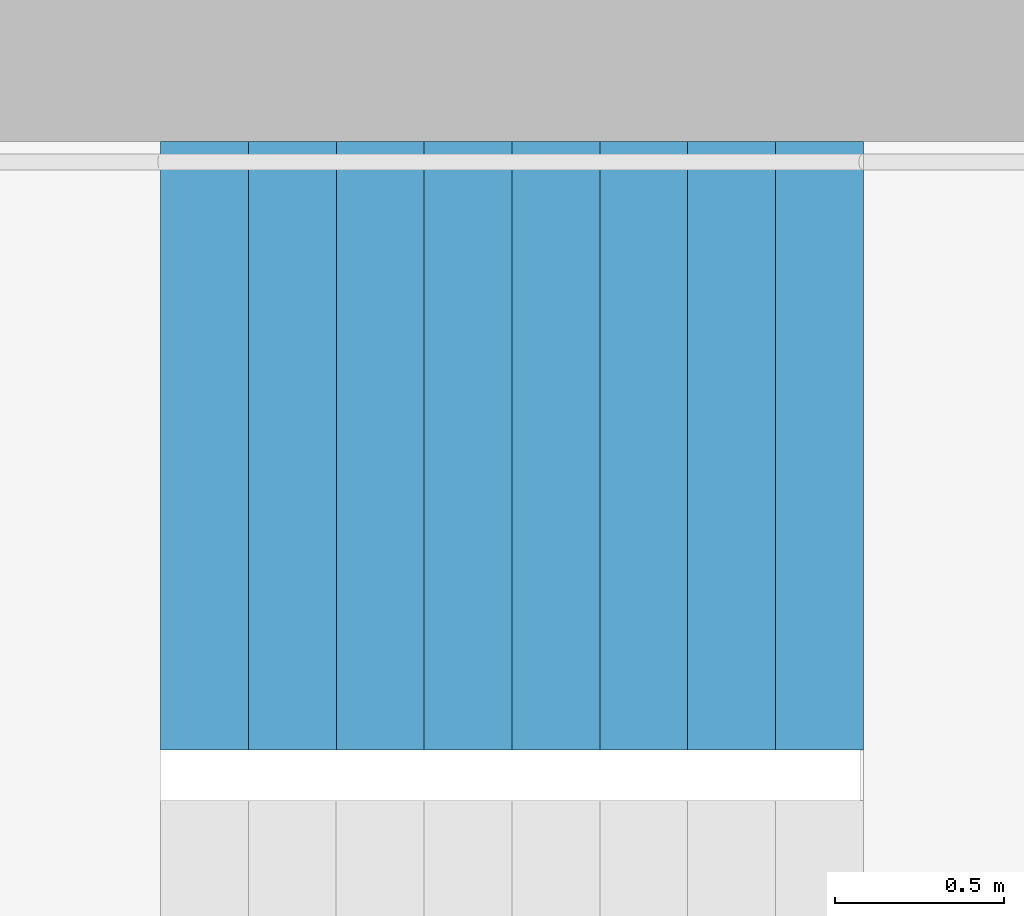
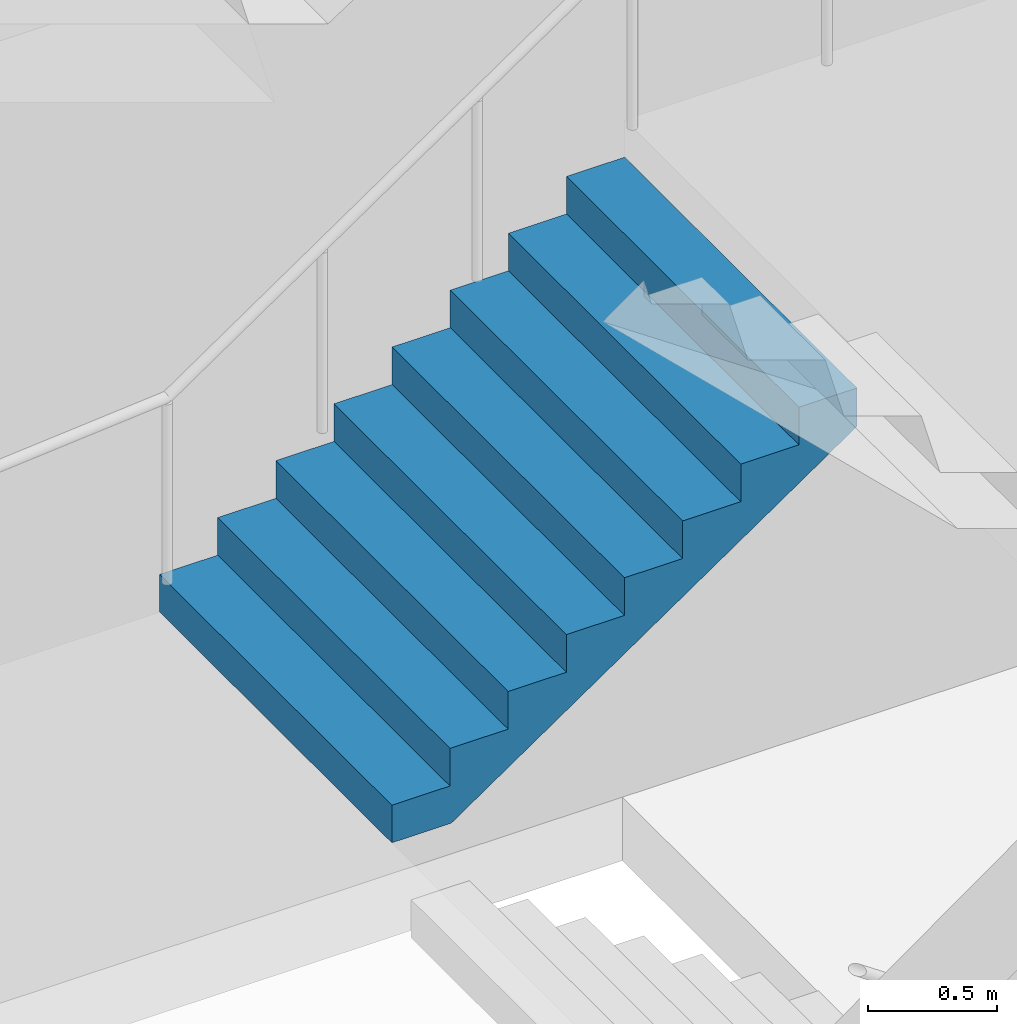
# One storey, part 29 of 41: 1 stair flight, 1 element without a shape of its own.
"""IFC4 building model written with IfcOpenShell, lengths in metres."""

from ifc_helpers import new_model, si_unit, direction, frame, origin, place, context, subcontext, project, spatial, triangles, material, type_object, element, aggregate, save


model = new_model("IFC4")

# Units and contexts
model_context = context("Model", 3, precision=1e-05, world=origin(), true_north=direction((0.0, 1.0)))
body_context = subcontext(model_context, "Body", "Model", "MODEL_VIEW")
ifc_project = project(units=[si_unit("LENGTHUNIT", "METRE"), si_unit("AREAUNIT", "SQUARE_METRE"), si_unit("VOLUMEUNIT", "CUBIC_METRE"), si_unit("PLANEANGLEUNIT", "RADIAN"), si_unit("MASSUNIT", "GRAM", prefix="KILO")], contexts=[model_context])

# Site, building, storey
site_placement = place(None, origin())
site = spatial("IfcSite", under=ifc_project, at=site_placement, CompositionType="ELEMENT")
building_placement = place(site_placement, origin())
building = spatial("IfcBuilding", under=site, at=building_placement, Name="Hakoniwa Tower and Hamabe Station Hall", CompositionType="ELEMENT")
storey_placement = place(building_placement, frame((0.0, 0.0, 180.199951171875)))
storey = spatial("IfcBuildingStorey", under=building, at=storey_placement, Name="L51", CompositionType="ELEMENT", Elevation=180.199951171875)

# Stair, stair flight
ifc_material_1 = material(Name="Concrete C40", Category="concrete")
stair_type = type_object("IfcStairType", Name="ESCAPE STAIR 1800", PredefinedType="HALF_TURN_STAIR", material=ifc_material_1)
stair_placement = place(storey_placement, origin())
stair = element("IfcStair", 1, at=stair_placement, inside=storey, type_object=stair_type, Name="Escape stair ST-3 L51", PredefinedType="HALF_TURN_STAIR")
ifc_material_2 = material(Name="Concrete C40", Category="concrete")
stair_flight_type = type_object("IfcStairFlightType", Name="STAIR FLIGHT 1800", PredefinedType="STRAIGHT", material=ifc_material_2)
stair_flight_placement = place(storey_placement, frame((22.320068359375, 6.60009765625, 1.60009765625), z_axis=(0.0, 0.0, 1.0), x_axis=(1.0, 0.0, 0.0)))
stair_flight = element("IfcStairFlight", 2, at=stair_flight_placement, type_object=stair_flight_type, Name="ST-3 flight 2", NumberOfRisers=9, NumberOfTreads=8, PredefinedType="STRAIGHT", RiserHeight=0.177777778, TreadLength=0.26, context=body_context, shape_type="Tessellation", body=[
    triangles([(0.0, 0.89990234375, 0.0), (0.260009765625, 0.89990234375, 0.0), (0.265625, 0.89990234375, 0.0), (0.52001953125, 0.89990234375, 0.174072265625), (0.780029296875, 0.89990234375, 0.351806640625), (1.0400390625, 0.89990234375, 0.529541015625), (1.300048828125, 0.89990234375, 0.707275390625), (1.56005859375, 0.89990234375, 0.885009765625), (1.820068359375, 0.89990234375, 1.062744140625), (2.080078125, 0.89990234375, 1.24072265625), (2.080078125, 0.89990234375, 1.422119140625), (1.820068359375, 0.89990234375, 1.422119140625), (1.820068359375, 0.89990234375, 1.244384765625), (1.56005859375, 0.89990234375, 1.244384765625), (1.56005859375, 0.89990234375, 1.066650390625), (1.300048828125, 0.89990234375, 1.066650390625), (1.300048828125, 0.89990234375, 0.888916015625), (1.0400390625, 0.89990234375, 0.888916015625), (1.0400390625, 0.89990234375, 0.711181640625), (0.780029296875, 0.89990234375, 0.711181640625), (0.780029296875, 0.89990234375, 0.533447265625), (0.52001953125, 0.89990234375, 0.533447265625), (0.52001953125, 0.89990234375, 0.35546875), (0.265625, 0.89990234375, 0.35546875), (0.260009765625, 0.89990234375, 0.35546875), (0.260009765625, 0.89990234375, 0.177734375), (0.0, 0.89990234375, 0.177734375), (0.0, 0.06005859375, 0.0), (0.260009765625, 0.06005859375, 0.0), (0.265625, 0.06005859375, 0.0), (0.52001953125, 0.06005859375, 0.174072265625), (0.780029296875, 0.06005859375, 0.351806640625), (1.0400390625, 0.06005859375, 0.529541015625), (1.300048828125, 0.06005859375, 0.707275390625), (1.56005859375, 0.06005859375, 0.885009765625), (1.820068359375, 0.06005859375, 1.062744140625), (2.080078125, 0.06005859375, 1.24072265625), (2.080078125, 0.06005859375, 1.422119140625), (1.820068359375, 0.06005859375, 1.422119140625), (1.820068359375, 0.06005859375, 1.244384765625), (1.56005859375, 0.06005859375, 1.244384765625), (1.56005859375, 0.06005859375, 1.066650390625), (1.300048828125, 0.06005859375, 1.066650390625), (1.300048828125, 0.06005859375, 0.888916015625), (1.0400390625, 0.06005859375, 0.888916015625), (1.0400390625, 0.06005859375, 0.711181640625), (0.780029296875, 0.06005859375, 0.711181640625), (0.780029296875, 0.06005859375, 0.533447265625), (0.52001953125, 0.06005859375, 0.533447265625), (0.52001953125, 0.06005859375, 0.35546875), (0.265625, 0.06005859375, 0.35546875), (0.260009765625, 0.06005859375, 0.35546875), (0.260009765625, 0.06005859375, 0.177734375), (0.0, 0.06005859375, 0.177734375), (0.0, 0.04296875, 0.0), (0.260009765625, 0.04296875, 0.0), (0.265625, 0.04296875, 0.0), (0.52001953125, 0.04296875, 0.174072265625), (0.780029296875, 0.04296875, 0.351806640625), (1.0400390625, 0.04296875, 0.529541015625), (1.300048828125, 0.04296875, 0.707275390625), (1.56005859375, 0.04296875, 0.885009765625), (1.820068359375, 0.04296875, 1.062744140625), (2.080078125, 0.04296875, 1.24072265625), (2.080078125, 0.04296875, 1.422119140625), (1.820068359375, 0.04296875, 1.422119140625), (1.820068359375, 0.04296875, 1.244384765625), (1.56005859375, 0.04296875, 1.244384765625), (1.56005859375, 0.04296875, 1.066650390625), (1.300048828125, 0.04296875, 1.066650390625), (1.300048828125, 0.04296875, 0.888916015625), (1.0400390625, 0.04296875, 0.888916015625), (1.0400390625, 0.04296875, 0.711181640625), (0.780029296875, 0.04296875, 0.711181640625), (0.780029296875, 0.04296875, 0.533447265625), (0.52001953125, 0.04296875, 0.533447265625), (0.52001953125, 0.04296875, 0.35546875), (0.265625, 0.04296875, 0.35546875), (0.260009765625, 0.04296875, 0.35546875), (0.260009765625, 0.04296875, 0.177734375), (0.0, 0.04296875, 0.177734375), (0.0, 0.025634765625, 0.0), (0.260009765625, 0.025634765625, 0.0), (0.265625, 0.025634765625, 0.0), (0.52001953125, 0.025634765625, 0.174072265625), (0.780029296875, 0.025634765625, 0.351806640625), (1.0400390625, 0.025634765625, 0.529541015625), (1.300048828125, 0.025634765625, 0.707275390625), (1.56005859375, 0.025634765625, 0.885009765625), (1.820068359375, 0.025634765625, 1.062744140625), (2.080078125, 0.025634765625, 1.24072265625), (2.080078125, 0.025634765625, 1.422119140625), (1.820068359375, 0.025634765625, 1.422119140625), (1.820068359375, 0.025634765625, 1.244384765625), (1.56005859375, 0.025634765625, 1.244384765625), (1.56005859375, 0.025634765625, 1.066650390625), (1.300048828125, 0.025634765625, 1.066650390625), (1.300048828125, 0.025634765625, 0.888916015625), (1.0400390625, 0.025634765625, 0.888916015625), (1.0400390625, 0.025634765625, 0.711181640625), (0.780029296875, 0.025634765625, 0.711181640625), (0.780029296875, 0.025634765625, 0.533447265625), (0.52001953125, 0.025634765625, 0.533447265625), (0.52001953125, 0.025634765625, 0.35546875), (0.265625, 0.025634765625, 0.35546875), (0.260009765625, 0.025634765625, 0.35546875), (0.260009765625, 0.025634765625, 0.177734375), (0.0, 0.025634765625, 0.177734375), (0.0, 0.008544921875, 0.0), (0.260009765625, 0.008544921875, 0.0), (0.265625, 0.008544921875, 0.0), (0.52001953125, 0.008544921875, 0.174072265625), (0.780029296875, 0.008544921875, 0.351806640625), (1.0400390625, 0.008544921875, 0.529541015625), (1.300048828125, 0.008544921875, 0.707275390625), (1.56005859375, 0.008544921875, 0.885009765625), (1.820068359375, 0.008544921875, 1.062744140625), (2.080078125, 0.008544921875, 1.24072265625), (2.080078125, 0.008544921875, 1.422119140625), (1.820068359375, 0.008544921875, 1.422119140625), (1.820068359375, 0.008544921875, 1.244384765625), (1.56005859375, 0.008544921875, 1.244384765625), (1.56005859375, 0.008544921875, 1.066650390625), (1.300048828125, 0.008544921875, 1.066650390625), (1.300048828125, 0.008544921875, 0.888916015625), (1.0400390625, 0.008544921875, 0.888916015625), (1.0400390625, 0.008544921875, 0.711181640625), (0.780029296875, 0.008544921875, 0.711181640625), (0.780029296875, 0.008544921875, 0.533447265625), (0.52001953125, 0.008544921875, 0.533447265625), (0.52001953125, 0.008544921875, 0.35546875), (0.265625, 0.008544921875, 0.35546875), (0.260009765625, 0.008544921875, 0.35546875), (0.260009765625, 0.008544921875, 0.177734375), (0.0, 0.008544921875, 0.177734375), (0.0, -0.008544921875, 0.0), (0.260009765625, -0.008544921875, 0.0), (0.265625, -0.008544921875, 0.0), (0.52001953125, -0.008544921875, 0.174072265625), (0.780029296875, -0.008544921875, 0.351806640625), (1.0400390625, -0.008544921875, 0.529541015625), (1.300048828125, -0.008544921875, 0.707275390625), (1.56005859375, -0.008544921875, 0.885009765625), (1.820068359375, -0.008544921875, 1.062744140625), (2.080078125, -0.008544921875, 1.24072265625), (2.080078125, -0.008544921875, 1.422119140625), (1.820068359375, -0.008544921875, 1.422119140625), (1.820068359375, -0.008544921875, 1.244384765625), (1.56005859375, -0.008544921875, 1.244384765625), (1.56005859375, -0.008544921875, 1.066650390625), (1.300048828125, -0.008544921875, 1.066650390625), (1.300048828125, -0.008544921875, 0.888916015625), (1.0400390625, -0.008544921875, 0.888916015625), (1.0400390625, -0.008544921875, 0.711181640625), (0.780029296875, -0.008544921875, 0.711181640625), (0.780029296875, -0.008544921875, 0.533447265625), (0.52001953125, -0.008544921875, 0.533447265625), (0.52001953125, -0.008544921875, 0.35546875), (0.265625, -0.008544921875, 0.35546875), (0.260009765625, -0.008544921875, 0.35546875), (0.260009765625, -0.008544921875, 0.177734375), (0.0, -0.008544921875, 0.177734375), (0.0, -0.025634765625, 0.0), (0.260009765625, -0.025634765625, 0.0), (0.265625, -0.025634765625, 0.0), (0.52001953125, -0.025634765625, 0.174072265625), (0.780029296875, -0.025634765625, 0.351806640625), (1.0400390625, -0.025634765625, 0.529541015625), (1.300048828125, -0.025634765625, 0.707275390625), (1.56005859375, -0.025634765625, 0.885009765625), (1.820068359375, -0.025634765625, 1.062744140625), (2.080078125, -0.025634765625, 1.24072265625), (2.080078125, -0.025634765625, 1.422119140625), (1.820068359375, -0.025634765625, 1.422119140625), (1.820068359375, -0.025634765625, 1.244384765625), (1.56005859375, -0.025634765625, 1.244384765625), (1.56005859375, -0.025634765625, 1.066650390625), (1.300048828125, -0.025634765625, 1.066650390625), (1.300048828125, -0.025634765625, 0.888916015625), (1.0400390625, -0.025634765625, 0.888916015625), (1.0400390625, -0.025634765625, 0.711181640625), (0.780029296875, -0.025634765625, 0.711181640625), (0.780029296875, -0.025634765625, 0.533447265625), (0.52001953125, -0.025634765625, 0.533447265625), (0.52001953125, -0.025634765625, 0.35546875), (0.265625, -0.025634765625, 0.35546875), (0.260009765625, -0.025634765625, 0.35546875), (0.260009765625, -0.025634765625, 0.177734375), (0.0, -0.025634765625, 0.177734375), (0.0, -0.04296875, 0.0), (0.260009765625, -0.04296875, 0.0), (0.265625, -0.04296875, 0.0), (0.52001953125, -0.04296875, 0.174072265625), (0.780029296875, -0.04296875, 0.351806640625), (1.0400390625, -0.04296875, 0.529541015625), (1.300048828125, -0.04296875, 0.707275390625), (1.56005859375, -0.04296875, 0.885009765625), (1.820068359375, -0.04296875, 1.062744140625), (2.080078125, -0.04296875, 1.24072265625), (2.080078125, -0.04296875, 1.422119140625), (1.820068359375, -0.04296875, 1.422119140625), (1.820068359375, -0.04296875, 1.244384765625), (1.56005859375, -0.04296875, 1.244384765625), (1.56005859375, -0.04296875, 1.066650390625), (1.300048828125, -0.04296875, 1.066650390625), (1.300048828125, -0.04296875, 0.888916015625), (1.0400390625, -0.04296875, 0.888916015625), (1.0400390625, -0.04296875, 0.711181640625), (0.780029296875, -0.04296875, 0.711181640625), (0.780029296875, -0.04296875, 0.533447265625), (0.52001953125, -0.04296875, 0.533447265625), (0.52001953125, -0.04296875, 0.35546875), (0.265625, -0.04296875, 0.35546875), (0.260009765625, -0.04296875, 0.35546875), (0.260009765625, -0.04296875, 0.177734375), (0.0, -0.04296875, 0.177734375), (0.0, -0.06005859375, 0.0), (0.260009765625, -0.06005859375, 0.0), (0.265625, -0.06005859375, 0.0), (0.52001953125, -0.06005859375, 0.174072265625), (0.780029296875, -0.06005859375, 0.351806640625), (1.0400390625, -0.06005859375, 0.529541015625), (1.300048828125, -0.06005859375, 0.707275390625), (1.56005859375, -0.06005859375, 0.885009765625), (1.820068359375, -0.06005859375, 1.062744140625), (2.080078125, -0.06005859375, 1.24072265625), (2.080078125, -0.06005859375, 1.422119140625), (1.820068359375, -0.06005859375, 1.422119140625), (1.820068359375, -0.06005859375, 1.244384765625), (1.56005859375, -0.06005859375, 1.244384765625), (1.56005859375, -0.06005859375, 1.066650390625), (1.300048828125, -0.06005859375, 1.066650390625), (1.300048828125, -0.06005859375, 0.888916015625), (1.0400390625, -0.06005859375, 0.888916015625), (1.0400390625, -0.06005859375, 0.711181640625), (0.780029296875, -0.06005859375, 0.711181640625), (0.780029296875, -0.06005859375, 0.533447265625), (0.52001953125, -0.06005859375, 0.533447265625), (0.52001953125, -0.06005859375, 0.35546875), (0.265625, -0.06005859375, 0.35546875), (0.260009765625, -0.06005859375, 0.35546875), (0.260009765625, -0.06005859375, 0.177734375), (0.0, -0.06005859375, 0.177734375), (0.0, -0.89990234375, 0.0), (0.260009765625, -0.89990234375, 0.0), (0.265625, -0.89990234375, 0.0), (0.52001953125, -0.89990234375, 0.174072265625), (0.780029296875, -0.89990234375, 0.351806640625), (1.0400390625, -0.89990234375, 0.529541015625), (1.300048828125, -0.89990234375, 0.707275390625), (1.56005859375, -0.89990234375, 0.885009765625), (1.820068359375, -0.89990234375, 1.062744140625), (2.080078125, -0.89990234375, 1.24072265625), (2.080078125, -0.89990234375, 1.422119140625), (1.820068359375, -0.89990234375, 1.422119140625), (1.820068359375, -0.89990234375, 1.244384765625), (1.56005859375, -0.89990234375, 1.244384765625), (1.56005859375, -0.89990234375, 1.066650390625), (1.300048828125, -0.89990234375, 1.066650390625), (1.300048828125, -0.89990234375, 0.888916015625), (1.0400390625, -0.89990234375, 0.888916015625), (1.0400390625, -0.89990234375, 0.711181640625), (0.780029296875, -0.89990234375, 0.711181640625), (0.780029296875, -0.89990234375, 0.533447265625), (0.52001953125, -0.89990234375, 0.533447265625), (0.52001953125, -0.89990234375, 0.35546875), (0.265625, -0.89990234375, 0.35546875), (0.260009765625, -0.89990234375, 0.35546875), (0.260009765625, -0.89990234375, 0.177734375), (0.0, -0.89990234375, 0.177734375)], [[2, 27, 26], [245, 269, 270], [2, 1, 27], [245, 270, 244], [3, 25, 24], [246, 267, 268], [3, 26, 25], [246, 268, 269], [3, 2, 26], [246, 269, 245], [4, 24, 23], [247, 266, 267], [4, 3, 24], [247, 267, 246], [5, 22, 21], [248, 264, 265], [5, 23, 22], [248, 265, 266], [5, 4, 23], [248, 266, 247], [6, 20, 19], [249, 262, 263], [6, 21, 20], [249, 263, 264], [6, 5, 21], [249, 264, 248], [7, 18, 17], [250, 260, 261], [7, 19, 18], [250, 261, 262], [7, 6, 19], [250, 262, 249], [8, 16, 15], [251, 258, 259], [8, 17, 16], [251, 259, 260], [8, 7, 17], [251, 260, 250], [9, 14, 13], [252, 256, 257], [9, 15, 14], [252, 257, 258], [9, 8, 15], [252, 258, 251], [10, 12, 11], [253, 254, 255], [10, 13, 12], [253, 255, 256], [10, 9, 13], [253, 256, 252], [1, 2, 29], [1, 29, 28], [28, 29, 56], [28, 56, 55], [55, 56, 83], [55, 83, 82], [82, 83, 110], [82, 110, 109], [109, 110, 137], [109, 137, 136], [136, 137, 164], [136, 164, 163], [163, 164, 191], [163, 191, 190], [190, 191, 218], [190, 218, 217], [217, 218, 245], [217, 245, 244], [2, 3, 30], [2, 30, 29], [29, 30, 57], [29, 57, 56], [56, 57, 84], [56, 84, 83], [83, 84, 111], [83, 111, 110], [110, 111, 138], [110, 138, 137], [137, 138, 165], [137, 165, 164], [164, 165, 192], [164, 192, 191], [191, 192, 219], [191, 219, 218], [218, 219, 246], [218, 246, 245], [3, 4, 31], [3, 31, 30], [30, 31, 58], [30, 58, 57], [57, 58, 85], [57, 85, 84], [84, 85, 112], [84, 112, 111], [111, 112, 139], [111, 139, 138], [138, 139, 166], [138, 166, 165], [165, 166, 193], [165, 193, 192], [192, 193, 220], [192, 220, 219], [219, 220, 247], [219, 247, 246], [4, 5, 32], [4, 32, 31], [31, 32, 59], [31, 59, 58], [58, 59, 86], [58, 86, 85], [85, 86, 113], [85, 113, 112], [112, 113, 140], [112, 140, 139], [139, 140, 167], [139, 167, 166], [166, 167, 194], [166, 194, 193], [193, 194, 221], [193, 221, 220], [220, 221, 248], [220, 248, 247], [5, 6, 33], [5, 33, 32], [32, 33, 60], [32, 60, 59], [59, 60, 87], [59, 87, 86], [86, 87, 114], [86, 114, 113], [113, 114, 141], [113, 141, 140], [140, 141, 168], [140, 168, 167], [167, 168, 195], [167, 195, 194], [194, 195, 222], [194, 222, 221], [221, 222, 249], [221, 249, 248], [6, 7, 34], [6, 34, 33], [33, 34, 61], [33, 61, 60], [60, 61, 88], [60, 88, 87], [87, 88, 115], [87, 115, 114], [114, 115, 142], [114, 142, 141], [141, 142, 169], [141, 169, 168], [168, 169, 196], [168, 196, 195], [195, 196, 223], [195, 223, 222], [222, 223, 250], [222, 250, 249], [7, 8, 35], [7, 35, 34], [34, 35, 62], [34, 62, 61], [61, 62, 89], [61, 89, 88], [88, 89, 116], [88, 116, 115], [115, 116, 143], [115, 143, 142], [142, 143, 170], [142, 170, 169], [169, 170, 197], [169, 197, 196], [196, 197, 224], [196, 224, 223], [223, 224, 251], [223, 251, 250], [8, 9, 36], [8, 36, 35], [35, 36, 63], [35, 63, 62], [62, 63, 90], [62, 90, 89], [89, 90, 117], [89, 117, 116], [116, 117, 144], [116, 144, 143], [143, 144, 171], [143, 171, 170], [170, 171, 198], [170, 198, 197], [197, 198, 225], [197, 225, 224], [224, 225, 252], [224, 252, 251], [9, 10, 37], [9, 37, 36], [36, 37, 64], [36, 64, 63], [63, 64, 91], [63, 91, 90], [90, 91, 118], [90, 118, 117], [117, 118, 145], [117, 145, 144], [144, 145, 172], [144, 172, 171], [171, 172, 199], [171, 199, 198], [198, 199, 226], [198, 226, 225], [225, 226, 253], [225, 253, 252], [10, 11, 38], [10, 38, 37], [37, 38, 65], [37, 65, 64], [64, 65, 92], [64, 92, 91], [91, 92, 119], [91, 119, 118], [118, 119, 146], [118, 146, 145], [145, 146, 173], [145, 173, 172], [172, 173, 200], [172, 200, 199], [199, 200, 227], [199, 227, 226], [226, 227, 254], [226, 254, 253], [11, 12, 39], [11, 39, 38], [38, 39, 66], [38, 66, 65], [65, 66, 93], [65, 93, 92], [92, 93, 120], [92, 120, 119], [119, 120, 147], [119, 147, 146], [146, 147, 174], [146, 174, 173], [173, 174, 201], [173, 201, 200], [200, 201, 228], [200, 228, 227], [227, 228, 255], [227, 255, 254], [12, 13, 40], [12, 40, 39], [39, 40, 67], [39, 67, 66], [66, 67, 94], [66, 94, 93], [93, 94, 121], [93, 121, 120], [120, 121, 148], [120, 148, 147], [147, 148, 175], [147, 175, 174], [174, 175, 202], [174, 202, 201], [201, 202, 229], [201, 229, 228], [228, 229, 256], [228, 256, 255], [13, 14, 41], [13, 41, 40], [40, 41, 68], [40, 68, 67], [67, 68, 95], [67, 95, 94], [94, 95, 122], [94, 122, 121], [121, 122, 149], [121, 149, 148], [148, 149, 176], [148, 176, 175], [175, 176, 203], [175, 203, 202], [202, 203, 230], [202, 230, 229], [229, 230, 257], [229, 257, 256], [14, 15, 42], [14, 42, 41], [41, 42, 69], [41, 69, 68], [68, 69, 96], [68, 96, 95], [95, 96, 123], [95, 123, 122], [122, 123, 150], [122, 150, 149], [149, 150, 177], [149, 177, 176], [176, 177, 204], [176, 204, 203], [203, 204, 231], [203, 231, 230], [230, 231, 258], [230, 258, 257], [15, 16, 43], [15, 43, 42], [42, 43, 70], [42, 70, 69], [69, 70, 97], [69, 97, 96], [96, 97, 124], [96, 124, 123], [123, 124, 151], [123, 151, 150], [150, 151, 178], [150, 178, 177], [177, 178, 205], [177, 205, 204], [204, 205, 232], [204, 232, 231], [231, 232, 259], [231, 259, 258], [16, 17, 44], [16, 44, 43], [43, 44, 71], [43, 71, 70], [70, 71, 98], [70, 98, 97], [97, 98, 125], [97, 125, 124], [124, 125, 152], [124, 152, 151], [151, 152, 179], [151, 179, 178], [178, 179, 206], [178, 206, 205], [205, 206, 233], [205, 233, 232], [232, 233, 260], [232, 260, 259], [17, 18, 45], [17, 45, 44], [44, 45, 72], [44, 72, 71], [71, 72, 99], [71, 99, 98], [98, 99, 126], [98, 126, 125], [125, 126, 153], [125, 153, 152], [152, 153, 180], [152, 180, 179], [179, 180, 207], [179, 207, 206], [206, 207, 234], [206, 234, 233], [233, 234, 261], [233, 261, 260], [18, 19, 46], [18, 46, 45], [45, 46, 73], [45, 73, 72], [72, 73, 100], [72, 100, 99], [99, 100, 127], [99, 127, 126], [126, 127, 154], [126, 154, 153], [153, 154, 181], [153, 181, 180], [180, 181, 208], [180, 208, 207], [207, 208, 235], [207, 235, 234], [234, 235, 262], [234, 262, 261], [19, 20, 47], [19, 47, 46], [46, 47, 74], [46, 74, 73], [73, 74, 101], [73, 101, 100], [100, 101, 128], [100, 128, 127], [127, 128, 155], [127, 155, 154], [154, 155, 182], [154, 182, 181], [181, 182, 209], [181, 209, 208], [208, 209, 236], [208, 236, 235], [235, 236, 263], [235, 263, 262], [20, 21, 48], [20, 48, 47], [47, 48, 75], [47, 75, 74], [74, 75, 102], [74, 102, 101], [101, 102, 129], [101, 129, 128], [128, 129, 156], [128, 156, 155], [155, 156, 183], [155, 183, 182], [182, 183, 210], [182, 210, 209], [209, 210, 237], [209, 237, 236], [236, 237, 264], [236, 264, 263], [21, 22, 49], [21, 49, 48], [48, 49, 76], [48, 76, 75], [75, 76, 103], [75, 103, 102], [102, 103, 130], [102, 130, 129], [129, 130, 157], [129, 157, 156], [156, 157, 184], [156, 184, 183], [183, 184, 211], [183, 211, 210], [210, 211, 238], [210, 238, 237], [237, 238, 265], [237, 265, 264], [22, 23, 50], [22, 50, 49], [49, 50, 77], [49, 77, 76], [76, 77, 104], [76, 104, 103], [103, 104, 131], [103, 131, 130], [130, 131, 158], [130, 158, 157], [157, 158, 185], [157, 185, 184], [184, 185, 212], [184, 212, 211], [211, 212, 239], [211, 239, 238], [238, 239, 266], [238, 266, 265], [23, 24, 51], [23, 51, 50], [50, 51, 78], [50, 78, 77], [77, 78, 105], [77, 105, 104], [104, 105, 132], [104, 132, 131], [131, 132, 159], [131, 159, 158], [158, 159, 186], [158, 186, 185], [185, 186, 213], [185, 213, 212], [212, 213, 240], [212, 240, 239], [239, 240, 267], [239, 267, 266], [24, 25, 52], [24, 52, 51], [51, 52, 79], [51, 79, 78], [78, 79, 106], [78, 106, 105], [105, 106, 133], [105, 133, 132], [132, 133, 160], [132, 160, 159], [159, 160, 187], [159, 187, 186], [186, 187, 214], [186, 214, 213], [213, 214, 241], [213, 241, 240], [240, 241, 268], [240, 268, 267], [25, 26, 53], [25, 53, 52], [52, 53, 80], [52, 80, 79], [79, 80, 107], [79, 107, 106], [106, 107, 134], [106, 134, 133], [133, 134, 161], [133, 161, 160], [160, 161, 188], [160, 188, 187], [187, 188, 215], [187, 215, 214], [214, 215, 242], [214, 242, 241], [241, 242, 269], [241, 269, 268], [26, 27, 54], [26, 54, 53], [53, 54, 81], [53, 81, 80], [80, 81, 108], [80, 108, 107], [107, 108, 135], [107, 135, 134], [134, 135, 162], [134, 162, 161], [161, 162, 189], [161, 189, 188], [188, 189, 216], [188, 216, 215], [215, 216, 243], [215, 243, 242], [242, 243, 270], [242, 270, 269], [27, 1, 28], [27, 28, 54], [54, 28, 55], [54, 55, 81], [81, 55, 82], [81, 82, 108], [108, 82, 109], [108, 109, 135], [135, 109, 136], [135, 136, 162], [162, 136, 163], [162, 163, 189], [189, 163, 190], [189, 190, 216], [216, 190, 217], [216, 217, 243], [243, 217, 244], [243, 244, 270]], closed=True),
])
aggregate(stair, [stair_flight])

save(model, "model.ifc")
